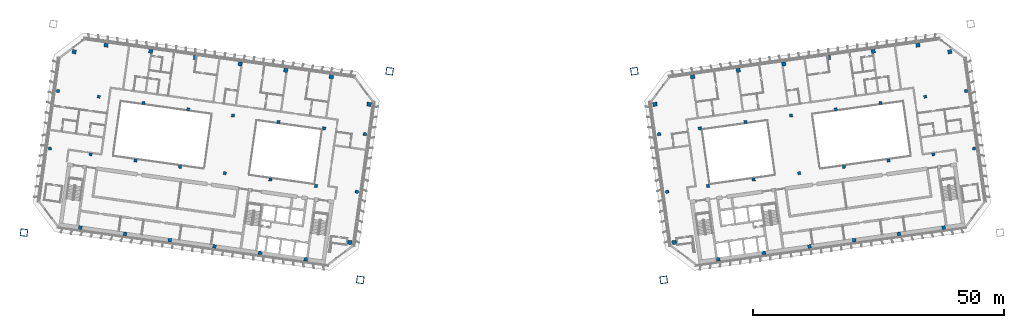
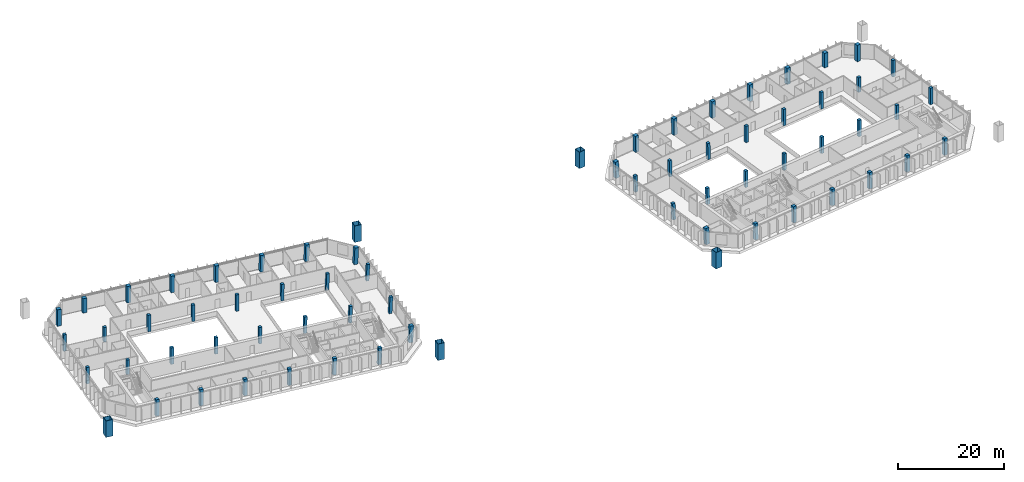
# One storey, part 1 of 25: 66 columns, 1 member.
"""IFC4 building model written with IfcOpenShell, lengths in metres."""

from ifc_helpers import new_model, si_unit, direction, frame, origin, origin_2d, place, context, subcontext, project, spatial, rectangle, hollow_rectangle, extrude, material, material_profile, profile_set, type_object, element, save


model = new_model("IFC4")

# Units and contexts
model_context = context("Model", 3, precision=1e-05, world=origin(), true_north=direction((0.0, 1.0)))
body_context = subcontext(model_context, "Body", "Model", "MODEL_VIEW")
ifc_project = project(units=[si_unit("LENGTHUNIT", "METRE"), si_unit("AREAUNIT", "SQUARE_METRE"), si_unit("VOLUMEUNIT", "CUBIC_METRE"), si_unit("PLANEANGLEUNIT", "RADIAN"), si_unit("MASSUNIT", "GRAM", prefix="KILO")], contexts=[model_context])

# Site, building, storey
site_placement = place(None, origin())
site = spatial("IfcSite", under=ifc_project, at=site_placement, CompositionType="ELEMENT")
building_placement = place(site_placement, origin())
building = spatial("IfcBuilding", under=site, at=building_placement, Name="Mirante Cascada Hotel Towers", CompositionType="ELEMENT")
storey_placement = place(building_placement, frame((0.0, 0.0, 172.6)))
storey = spatial("IfcBuildingStorey", under=building, at=storey_placement, Name="L40", CompositionType="ELEMENT", Elevation=172.6)

# Columns
ifc_material_1 = material(Name="Steel ASTM A572 Gr 50", Category="steel")
ifc_material_profile_1 = material_profile(ifc_material_1, hollow_rectangle(XDim=1.4, YDim=1.4, WallThickness=0.06, at=origin_2d()), Name="Box column 1400x1400x60 ASTM A572 Gr 50")
ifc_profile_set_1 = profile_set([ifc_material_profile_1], Name="Steel ASTM A572 Gr 50")
column_type_1 = type_object("IfcColumnType", Name="Box column 1400x1400x60 ASTM A572 Gr 50", PredefinedType="COLUMN", material=ifc_profile_set_1)
for number, where, z_axis, x_axis, name in (
    (1, (-24.3936, 18.4184, 0.0), (0.0, 0.0, 1.0), (-0.9902681, 0.1391731, 0.0), "Mega column MC1 T1 L40"),
    (2, (-30.2388, -23.1728, 0.0), (0.0, 0.0, 1.0), (-0.9902681, 0.1391731, 0.0), "Mega column MC2 T1 L40"),
    (3, (24.3936, 18.4184, 0.0), (0.0, 0.0, 1.0), (0.9902681, 0.1391731, 0.0), "Mega column MC1 T2 L40"),
    (4, (30.2388, -23.1728, 0.0), (0.0, 0.0, 1.0), (0.9902681, 0.1391731, 0.0), "Mega column MC2 T2 L40"),
):
    element("IfcColumn", number, at=place(storey_placement, frame(where, z_axis=z_axis, x_axis=x_axis)), inside=storey, type_object=column_type_1, Name=name, PredefinedType="COLUMN", context=body_context, shape_type="SweptSolid", body=[
        extrude(hollow_rectangle(XDim=1.4, YDim=1.4, WallThickness=0.06, at=origin_2d()), origin(), (0.0, 0.0, 1.0), 3.8),
    ])
ifc_material_2 = material(Name="Concrete C50/60", Category="concrete")
ifc_material_profile_2 = material_profile(ifc_material_2, rectangle(XDim=0.6, YDim=0.6, at=origin_2d()), Name="RC column 600x600 C50/60")
ifc_profile_set_2 = profile_set([ifc_material_profile_2], Name="Concrete C50/60")
column_type_2 = type_object("IfcColumnType", Name="RC column 600x600 C50/60", PredefinedType="COLUMN", material=ifc_profile_set_2)
for number, where, z_axis, x_axis, name in (
    (5, (-29.3582, 5.8874, 0.004), (0.0440229, -0.0061648, 0.9990115), (0.1386827, 0.9903369, 0.0), "Column T1 L40 2"),
    (6, (-30.9726, -5.5997, 0.004), (0.0440229, -0.0061911, 0.9990113), (0.1392639, 0.9902553, 0.0), "Column T1 L40 3"),
):
    element("IfcColumn", number, at=place(storey_placement, frame(where, z_axis=z_axis, x_axis=x_axis)), inside=storey, type_object=column_type_2, Name=name, PredefinedType="COLUMN", context=body_context, shape_type="SweptSolid", body=[
        extrude(rectangle(XDim=0.6, YDim=0.6, at=origin_2d()), origin(), (0.0, 0.0, 1.0), 3.7958),
    ])
for number, where, z_axis, x_axis, name in (
    (7, (-37.4783, 7.0286, 0.004), (0.0353414, -0.0049546, 0.999363), (0.1388362, 0.9903154, 0.0), "Column T1 L40 6"),
    (8, (-39.0927, -4.4585, 0.004), (0.0353414, -0.0049546, 0.999363), (0.1388362, 0.9903154, 0.0), "Column T1 L40 7"),
):
    element("IfcColumn", number, at=place(storey_placement, frame(where, z_axis=z_axis, x_axis=x_axis)), inside=storey, type_object=column_type_2, Name=name, PredefinedType="COLUMN", context=body_context, shape_type="SweptSolid", body=[
        extrude(rectangle(XDim=0.6, YDim=0.6, at=origin_2d()), origin(), (0.0, 0.0, 1.0), 3.7944),
    ])
for number, where, z_axis, x_axis, name in (
    (9, (-46.558, 8.3047, 0.004), (0.017666, -0.0024785, 0.9998409), (0.1389378, 0.9903011, 0.0), "Column T1 L40 10"),
    (10, (-48.1724, -3.1824, 0.004), (0.017666, -0.0024785, 0.9998409), (0.1389378, 0.9903011, 0.0), "Column T1 L40 11"),
):
    element("IfcColumn", number, at=place(storey_placement, frame(where, z_axis=z_axis, x_axis=x_axis)), inside=storey, type_object=column_type_2, Name=name, PredefinedType="COLUMN", context=body_context, shape_type="SweptSolid", body=[
        extrude(rectangle(XDim=0.6, YDim=0.6, at=origin_2d()), origin(), (0.0, 0.0, 1.0), 3.7926),
    ])
for number, where, z_axis, x_axis, name in (
    (11, (-55.6378, 9.5808, 0.0), (0.0, 0.0, 1.0), (-0.9902681, 0.1391731, 0.0), "Column T1 L40 14"),
    (12, (-57.2522, -1.9063, 0.0), (0.0, 0.0, 1.0), (-0.9902681, 0.1391731, 0.0), "Column T1 L40 15"),
    (13, (-64.5502, 10.8333, 0.0), (0.0, 0.0, 1.0), (-0.9902681, 0.1391731, 0.0), "Column T1 L40 18"),
    (14, (-66.1646, -0.6538, 0.0), (0.0, 0.0, 1.0), (-0.9902681, 0.1391731, 0.0), "Column T1 L40 19"),
    (15, (-73.4626, 12.0859, 0.0), (0.0, 0.0, 1.0), (-0.9902681, 0.1391731, 0.0), "Column T1 L40 22"),
    (16, (-75.077, 0.5988, 0.0), (0.0, 0.0, 1.0), (-0.9902681, 0.1391731, 0.0), "Column T1 L40 23"),
):
    element("IfcColumn", number, at=place(storey_placement, frame(where, z_axis=z_axis, x_axis=x_axis)), inside=storey, type_object=column_type_2, Name=name, PredefinedType="COLUMN", context=body_context, shape_type="SweptSolid", body=[
        extrude(rectangle(XDim=0.6, YDim=0.6, at=origin_2d()), origin(), (0.0, 0.0, 1.0), 3.8),
    ])
for number, where, z_axis, x_axis, name in (
    (17, (-82.375, 13.3385, 0.0), (0.0, 0.0, 1.0), (-0.9902681, 0.1391731, 0.0), "Column T1 L40 26"),
    (18, (-83.9894, 1.8514, 0.0), (0.0, 0.0, 1.0), (-0.9902681, 0.1391731, 0.0), "Column T1 L40 27"),
):
    element("IfcColumn", number, at=place(storey_placement, frame(where, z_axis=z_axis, x_axis=x_axis)), inside=storey, type_object=column_type_2, Name=name, PredefinedType="COLUMN", context=body_context, shape_type="SweptSolid", body=[
        extrude(rectangle(XDim=0.6, YDim=0.6, at=origin_2d()), origin(), (0.0, 0.0, 1.0), 3.3539),
    ])
for number, where, z_axis, x_axis, name in (
    (19, (-90.4952, 14.4797, 0.0), (0.0, 0.0, 1.0), (-0.9902681, 0.1391731, 0.0), "Column T1 L40 30"),
    (20, (-92.1096, 2.9926, 0.0), (0.0, 0.0, 1.0), (-0.9902681, 0.1391731, 0.0), "Column T1 L40 31"),
):
    element("IfcColumn", number, at=place(storey_placement, frame(where, z_axis=z_axis, x_axis=x_axis)), inside=storey, type_object=column_type_2, Name=name, PredefinedType="COLUMN", context=body_context, shape_type="SweptSolid", body=[
        extrude(rectangle(XDim=0.6, YDim=0.6, at=origin_2d()), origin(), (0.0, 0.0, 1.0), 3.8),
    ])
for number, where, z_axis, x_axis, name in (
    (21, (29.3582, 5.8874, 0.004), (-0.0440229, -0.0061648, 0.9990115), (0.1386827, -0.9903369, 0.0), "Column T2 L40 2"),
    (22, (30.9726, -5.5997, 0.004), (-0.0440229, -0.0061911, 0.9990113), (0.1392639, -0.9902553, 0.0), "Column T2 L40 3"),
):
    element("IfcColumn", number, at=place(storey_placement, frame(where, z_axis=z_axis, x_axis=x_axis)), inside=storey, type_object=column_type_2, Name=name, PredefinedType="COLUMN", context=body_context, shape_type="SweptSolid", body=[
        extrude(rectangle(XDim=0.6, YDim=0.6, at=origin_2d()), origin(), (0.0, 0.0, 1.0), 3.7958),
    ])
for number, where, z_axis, x_axis, name in (
    (23, (37.4783, 7.0286, 0.004), (-0.0353414, -0.0049546, 0.999363), (0.1388362, -0.9903154, 0.0), "Column T2 L40 6"),
    (24, (39.0927, -4.4585, 0.004), (-0.0353414, -0.0049546, 0.999363), (0.1388362, -0.9903154, 0.0), "Column T2 L40 7"),
):
    element("IfcColumn", number, at=place(storey_placement, frame(where, z_axis=z_axis, x_axis=x_axis)), inside=storey, type_object=column_type_2, Name=name, PredefinedType="COLUMN", context=body_context, shape_type="SweptSolid", body=[
        extrude(rectangle(XDim=0.6, YDim=0.6, at=origin_2d()), origin(), (0.0, 0.0, 1.0), 3.7944),
    ])
for number, where, z_axis, x_axis, name in (
    (25, (46.558, 8.3047, 0.004), (-0.017666, -0.0024785, 0.9998409), (0.1389378, -0.9903011, 0.0), "Column T2 L40 10"),
    (26, (48.1724, -3.1824, 0.004), (-0.017666, -0.0024785, 0.9998409), (0.1389378, -0.9903011, 0.0), "Column T2 L40 11"),
):
    element("IfcColumn", number, at=place(storey_placement, frame(where, z_axis=z_axis, x_axis=x_axis)), inside=storey, type_object=column_type_2, Name=name, PredefinedType="COLUMN", context=body_context, shape_type="SweptSolid", body=[
        extrude(rectangle(XDim=0.6, YDim=0.6, at=origin_2d()), origin(), (0.0, 0.0, 1.0), 3.7926),
    ])
for number, where, z_axis, x_axis, name in (
    (27, (55.6378, 9.5808, 0.0), (0.0, 0.0, 1.0), (0.9902681, 0.1391731, 0.0), "Column T2 L40 14"),
    (28, (57.2522, -1.9063, 0.0), (0.0, 0.0, 1.0), (0.9902681, 0.1391731, 0.0), "Column T2 L40 15"),
    (29, (64.5502, 10.8333, 0.0), (0.0, 0.0, 1.0), (0.9902681, 0.1391731, 0.0), "Column T2 L40 18"),
    (30, (66.1646, -0.6538, 0.0), (0.0, 0.0, 1.0), (0.9902681, 0.1391731, 0.0), "Column T2 L40 19"),
    (31, (73.4626, 12.0859, 0.0), (0.0, 0.0, 1.0), (0.9902681, 0.1391731, 0.0), "Column T2 L40 22"),
    (32, (75.077, 0.5988, 0.0), (0.0, 0.0, 1.0), (0.9902681, 0.1391731, 0.0), "Column T2 L40 23"),
):
    element("IfcColumn", number, at=place(storey_placement, frame(where, z_axis=z_axis, x_axis=x_axis)), inside=storey, type_object=column_type_2, Name=name, PredefinedType="COLUMN", context=body_context, shape_type="SweptSolid", body=[
        extrude(rectangle(XDim=0.6, YDim=0.6, at=origin_2d()), origin(), (0.0, 0.0, 1.0), 3.8),
    ])
for number, where, z_axis, x_axis, name in (
    (33, (82.375, 13.3385, 0.0), (0.0, 0.0, 1.0), (0.9902681, 0.1391731, 0.0), "Column T2 L40 26"),
    (34, (83.9894, 1.8514, 0.0), (0.0, 0.0, 1.0), (0.9902681, 0.1391731, 0.0), "Column T2 L40 27"),
):
    element("IfcColumn", number, at=place(storey_placement, frame(where, z_axis=z_axis, x_axis=x_axis)), inside=storey, type_object=column_type_2, Name=name, PredefinedType="COLUMN", context=body_context, shape_type="SweptSolid", body=[
        extrude(rectangle(XDim=0.6, YDim=0.6, at=origin_2d()), origin(), (0.0, 0.0, 1.0), 3.3539),
    ])
for number, where, z_axis, x_axis, name in (
    (35, (90.4952, 14.4797, 0.0), (0.0, 0.0, 1.0), (0.9902681, 0.1391731, 0.0), "Column T2 L40 30"),
    (36, (92.1096, 2.9926, 0.0), (0.0, 0.0, 1.0), (0.9902681, 0.1391731, 0.0), "Column T2 L40 31"),
):
    element("IfcColumn", number, at=place(storey_placement, frame(where, z_axis=z_axis, x_axis=x_axis)), inside=storey, type_object=column_type_2, Name=name, PredefinedType="COLUMN", context=body_context, shape_type="SweptSolid", body=[
        extrude(rectangle(XDim=0.6, YDim=0.6, at=origin_2d()), origin(), (0.0, 0.0, 1.0), 3.8),
    ])
ifc_material_3 = material(Name="Concrete C50/60", Category="concrete")
ifc_material_profile_3 = material_profile(ifc_material_3, rectangle(XDim=0.7, YDim=0.7, at=origin_2d()), Name="RC column 700x700 C50/60")
ifc_profile_set_3 = profile_set([ifc_material_profile_3], Name="Concrete C50/60")
column_type_3 = type_object("IfcColumnType", Name="RC column 700x700 C50/60", PredefinedType="COLUMN", material=ifc_profile_set_3)
column_1_placement = place(storey_placement, frame((-41.1455, -19.0649, 0.004), z_axis=(0.0353414, -0.004981, 0.9993629), x_axis=(0.1395603, 0.9902136, 0.0)))
element("IfcColumn", 37, at=column_1_placement, inside=storey, type_object=column_type_3, Name="Column T1 L40 8", PredefinedType="COLUMN", context=body_context, shape_type="SweptSolid", body=[
    extrude(rectangle(XDim=0.7, YDim=0.7, at=origin_2d()), origin(), (0.0, 0.0, 1.0), 3.7944),
])
column_2_placement = place(storey_placement, frame((-50.2252, -17.7888, 0.004), z_axis=(0.017666, -0.0025049, 0.9998408), x_axis=(0.1403868, 0.9900967, 0.0)))
element("IfcColumn", 38, at=column_2_placement, inside=storey, type_object=column_type_3, Name="Column T1 L40 12", PredefinedType="COLUMN", context=body_context, shape_type="SweptSolid", body=[
    extrude(rectangle(XDim=0.7, YDim=0.7, at=origin_2d()), origin(), (0.0, 0.0, 1.0), 3.7926),
])
for number, where, z_axis, x_axis, name in (
    (39, (-59.305, -16.5128, 0.0), (0.0, 0.0, 1.0), (-0.9902681, 0.1391731, 0.0), "Column T1 L40 16"),
    (40, (-68.2174, -15.2602, 0.0), (0.0, 0.0, 1.0), (-0.9902681, 0.1391731, 0.0), "Column T1 L40 20"),
    (41, (-77.1298, -14.0077, 0.0), (0.0, 0.0, 1.0), (-0.9902681, 0.1391731, 0.0), "Column T1 L40 24"),
    (42, (-86.0422, -12.7551, 0.0), (0.0, 0.0, 1.0), (-0.9902681, 0.1391731, 0.0), "Column T1 L40 28"),
):
    element("IfcColumn", number, at=place(storey_placement, frame(where, z_axis=z_axis, x_axis=x_axis)), inside=storey, type_object=column_type_3, Name=name, PredefinedType="COLUMN", context=body_context, shape_type="SweptSolid", body=[
        extrude(rectangle(XDim=0.7, YDim=0.7, at=origin_2d()), origin(), (0.0, 0.0, 1.0), 3.8),
    ])
column_3_placement = place(storey_placement, frame((41.1455, -19.0649, 0.004), z_axis=(-0.0353414, -0.004981, 0.9993629), x_axis=(0.1395603, -0.9902136, 0.0)))
element("IfcColumn", 43, at=column_3_placement, inside=storey, type_object=column_type_3, Name="Column T2 L40 8", PredefinedType="COLUMN", context=body_context, shape_type="SweptSolid", body=[
    extrude(rectangle(XDim=0.7, YDim=0.7, at=origin_2d()), origin(), (0.0, 0.0, 1.0), 3.7944),
])
column_4_placement = place(storey_placement, frame((50.2252, -17.7888, 0.004), z_axis=(-0.017666, -0.0025049, 0.9998408), x_axis=(0.1403868, -0.9900967, 0.0)))
element("IfcColumn", 44, at=column_4_placement, inside=storey, type_object=column_type_3, Name="Column T2 L40 12", PredefinedType="COLUMN", context=body_context, shape_type="SweptSolid", body=[
    extrude(rectangle(XDim=0.7, YDim=0.7, at=origin_2d()), origin(), (0.0, 0.0, 1.0), 3.7926),
])
for number, where, z_axis, x_axis, name in (
    (45, (59.305, -16.5128, 0.0), (0.0, 0.0, 1.0), (0.9902681, 0.1391731, 0.0), "Column T2 L40 16"),
    (46, (68.2174, -15.2602, 0.0), (0.0, 0.0, 1.0), (0.9902681, 0.1391731, 0.0), "Column T2 L40 20"),
    (47, (77.1298, -14.0077, 0.0), (0.0, 0.0, 1.0), (0.9902681, 0.1391731, 0.0), "Column T2 L40 24"),
    (48, (86.0422, -12.7551, 0.0), (0.0, 0.0, 1.0), (0.9902681, 0.1391731, 0.0), "Column T2 L40 28"),
):
    element("IfcColumn", number, at=place(storey_placement, frame(where, z_axis=z_axis, x_axis=x_axis)), inside=storey, type_object=column_type_3, Name=name, PredefinedType="COLUMN", context=body_context, shape_type="SweptSolid", body=[
        extrude(rectangle(XDim=0.7, YDim=0.7, at=origin_2d()), origin(), (0.0, 0.0, 1.0), 3.8),
    ])
ifc_material_4 = material(Name="Concrete C50/60", Category="concrete")
ifc_material_profile_4 = material_profile(ifc_material_4, rectangle(XDim=0.8, YDim=0.8, at=origin_2d()), Name="RC column 800x800 C50/60")
ifc_profile_set_4 = profile_set([ifc_material_profile_4], Name="Concrete C50/60")
column_type_4 = type_object("IfcColumnType", Name="RC column 800x800 C50/60", PredefinedType="COLUMN", material=ifc_profile_set_4)
for number, where, z_axis, x_axis, name in (
    (49, (-28.5232, 11.829, 0.004), (0.0440229, -0.0061648, 0.9990115), (0.1386827, 0.9903369, 0.0), "Column T1 L40 1"),
    (50, (-32.3922, -15.7004, 0.004), (0.0440229, -0.0061911, 0.9990113), (0.1392639, 0.9902553, 0.0), "Column T1 L40 4"),
):
    element("IfcColumn", number, at=place(storey_placement, frame(where, z_axis=z_axis, x_axis=x_axis)), inside=storey, type_object=column_type_4, Name=name, PredefinedType="COLUMN", context=body_context, shape_type="SweptSolid", body=[
        extrude(rectangle(XDim=0.8, YDim=0.8, at=origin_2d()), origin(), (0.0, 0.0, 1.0), 3.7958),
    ])
column_5_placement = place(storey_placement, frame((-36.0308, 17.3274, 0.004), z_axis=(0.0353151, -0.0049547, 0.9993639), x_axis=(0.1389378, 0.9903011, 0.0)))
element("IfcColumn", 51, at=column_5_placement, inside=storey, type_object=column_type_4, Name="Column T1 L40 5", PredefinedType="COLUMN", context=body_context, shape_type="SweptSolid", body=[
    extrude(rectangle(XDim=0.8, YDim=0.8, at=origin_2d()), origin(), (0.0, 0.0, 1.0), 3.7944),
])
column_6_placement = place(storey_placement, frame((-45.1106, 18.6035, 0.004), z_axis=(0.017666, -0.0024785, 0.9998409), x_axis=(0.1389378, 0.9903011, 0.0)))
element("IfcColumn", 52, at=column_6_placement, inside=storey, type_object=column_type_4, Name="Column T1 L40 9", PredefinedType="COLUMN", context=body_context, shape_type="SweptSolid", body=[
    extrude(rectangle(XDim=0.8, YDim=0.8, at=origin_2d()), origin(), (0.0, 0.0, 1.0), 3.7926),
])
for number, where, z_axis, x_axis, name in (
    (53, (-54.1904, 19.8796, 0.0), (0.0, 0.0, 1.0), (-0.9902681, 0.1391731, 0.0), "Column T1 L40 13"),
    (54, (-63.1028, 21.1321, 0.0), (0.0, 0.0, 1.0), (-0.9902681, 0.1391731, 0.0), "Column T1 L40 17"),
    (55, (-72.0152, 22.3847, 0.0), (0.0, 0.0, 1.0), (-0.9902681, 0.1391731, 0.0), "Column T1 L40 21"),
):
    element("IfcColumn", number, at=place(storey_placement, frame(where, z_axis=z_axis, x_axis=x_axis)), inside=storey, type_object=column_type_4, Name=name, PredefinedType="COLUMN", context=body_context, shape_type="SweptSolid", body=[
        extrude(rectangle(XDim=0.8, YDim=0.8, at=origin_2d()), origin(), (0.0, 0.0, 1.0), 3.8),
    ])
column_7_placement = place(storey_placement, frame((-80.9276, 23.6373, 0.0), z_axis=(0.0, 0.0, 1.0), x_axis=(-0.9902681, 0.1391731, 0.0)))
element("IfcColumn", 56, at=column_7_placement, inside=storey, type_object=column_type_4, Name="Column T1 L40 25", PredefinedType="COLUMN", context=body_context, shape_type="SweptSolid", body=[
    extrude(rectangle(XDim=0.8, YDim=0.8, at=origin_2d()), origin(), (0.0, 0.0, 1.0), 3.3529),
])
column_8_placement = place(storey_placement, frame((-87.2744, 22.3076, 0.0), z_axis=(0.0, 0.0, 1.0), x_axis=(-0.9902681, 0.1391731, 0.0)))
element("IfcColumn", 57, at=column_8_placement, inside=storey, type_object=column_type_4, Name="Column T1 L40 29", PredefinedType="COLUMN", context=body_context, shape_type="SweptSolid", body=[
    extrude(rectangle(XDim=0.8, YDim=0.8, at=origin_2d()), origin(), (0.0, 0.0, 1.0), 3.8),
])
for number, where, z_axis, x_axis, name in (
    (58, (28.5232, 11.829, 0.004), (-0.0440229, -0.0061648, 0.9990115), (0.1386827, -0.9903369, 0.0), "Column T2 L40 1"),
    (59, (32.3922, -15.7004, 0.004), (-0.0440229, -0.0061911, 0.9990113), (0.1392639, -0.9902553, 0.0), "Column T2 L40 4"),
):
    element("IfcColumn", number, at=place(storey_placement, frame(where, z_axis=z_axis, x_axis=x_axis)), inside=storey, type_object=column_type_4, Name=name, PredefinedType="COLUMN", context=body_context, shape_type="SweptSolid", body=[
        extrude(rectangle(XDim=0.8, YDim=0.8, at=origin_2d()), origin(), (0.0, 0.0, 1.0), 3.7958),
    ])
column_9_placement = place(storey_placement, frame((36.0308, 17.3274, 0.004), z_axis=(-0.0353151, -0.0049547, 0.9993639), x_axis=(0.1389378, -0.9903011, 0.0)))
element("IfcColumn", 60, at=column_9_placement, inside=storey, type_object=column_type_4, Name="Column T2 L40 5", PredefinedType="COLUMN", context=body_context, shape_type="SweptSolid", body=[
    extrude(rectangle(XDim=0.8, YDim=0.8, at=origin_2d()), origin(), (0.0, 0.0, 1.0), 3.7944),
])
column_10_placement = place(storey_placement, frame((45.1106, 18.6035, 0.004), z_axis=(-0.017666, -0.0024785, 0.9998409), x_axis=(0.1389378, -0.9903011, 0.0)))
element("IfcColumn", 61, at=column_10_placement, inside=storey, type_object=column_type_4, Name="Column T2 L40 9", PredefinedType="COLUMN", context=body_context, shape_type="SweptSolid", body=[
    extrude(rectangle(XDim=0.8, YDim=0.8, at=origin_2d()), origin(), (0.0, 0.0, 1.0), 3.7926),
])
for number, where, z_axis, x_axis, name in (
    (62, (54.1904, 19.8796, 0.0), (0.0, 0.0, 1.0), (0.9902681, 0.1391731, 0.0), "Column T2 L40 13"),
    (63, (63.1028, 21.1321, 0.0), (0.0, 0.0, 1.0), (0.9902681, 0.1391731, 0.0), "Column T2 L40 17"),
    (64, (72.0152, 22.3847, 0.0), (0.0, 0.0, 1.0), (0.9902681, 0.1391731, 0.0), "Column T2 L40 21"),
):
    element("IfcColumn", number, at=place(storey_placement, frame(where, z_axis=z_axis, x_axis=x_axis)), inside=storey, type_object=column_type_4, Name=name, PredefinedType="COLUMN", context=body_context, shape_type="SweptSolid", body=[
        extrude(rectangle(XDim=0.8, YDim=0.8, at=origin_2d()), origin(), (0.0, 0.0, 1.0), 3.8),
    ])
column_11_placement = place(storey_placement, frame((80.9276, 23.6373, 0.0), z_axis=(0.0, 0.0, 1.0), x_axis=(0.9902681, 0.1391731, 0.0)))
element("IfcColumn", 65, at=column_11_placement, inside=storey, type_object=column_type_4, Name="Column T2 L40 25", PredefinedType="COLUMN", context=body_context, shape_type="SweptSolid", body=[
    extrude(rectangle(XDim=0.8, YDim=0.8, at=origin_2d()), origin(), (0.0, 0.0, 1.0), 3.3529),
])
column_12_placement = place(storey_placement, frame((87.2744, 22.3076, 0.0), z_axis=(0.0, 0.0, 1.0), x_axis=(0.9902681, 0.1391731, 0.0)))
element("IfcColumn", 66, at=column_12_placement, inside=storey, type_object=column_type_4, Name="Column T2 L40 29", PredefinedType="COLUMN", context=body_context, shape_type="SweptSolid", body=[
    extrude(rectangle(XDim=0.8, YDim=0.8, at=origin_2d()), origin(), (0.0, 0.0, 1.0), 3.8),
])

# Member
ifc_material_5 = material(Name="Steel ASTM A572 Gr 50", Category="steel")
ifc_material_profile_5 = material_profile(ifc_material_5, hollow_rectangle(XDim=1.4, YDim=1.4, WallThickness=0.06, at=origin_2d()), Name="Box post 1400x1400x60 ASTM A572 Gr 50")
ifc_profile_set_5 = profile_set([ifc_material_profile_5], Name="Steel ASTM A572 Gr 50")
member_type = type_object("IfcMemberType", Name="Box post 1400x1400x60 ASTM A572 Gr 50", PredefinedType="POST", material=ifc_profile_set_5)
member_placement = place(storey_placement, frame((-97.2901, -13.7494, 0.0), z_axis=(0.0, 0.0, 1.0), x_axis=(-0.9902681, 0.1391731, 0.0)))
element("IfcMember", 67, at=member_placement, inside=storey, type_object=member_type, Name="Mega column MP4 T1 L40", PredefinedType="POST", context=body_context, shape_type="SweptSolid", body=[
    extrude(hollow_rectangle(XDim=1.4, YDim=1.4, WallThickness=0.06, at=origin_2d()), origin(), (0.0, 0.0, 1.0), 3.8),
])

save(model, "model.ifc")
